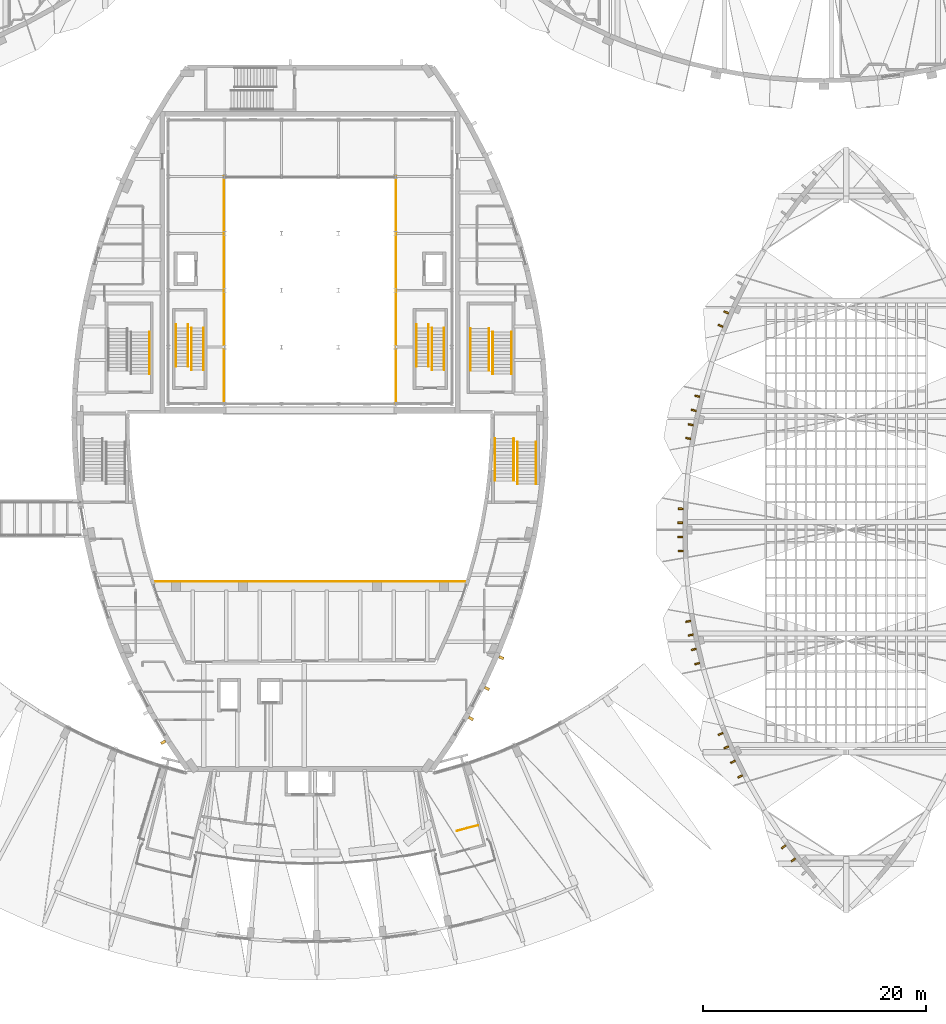
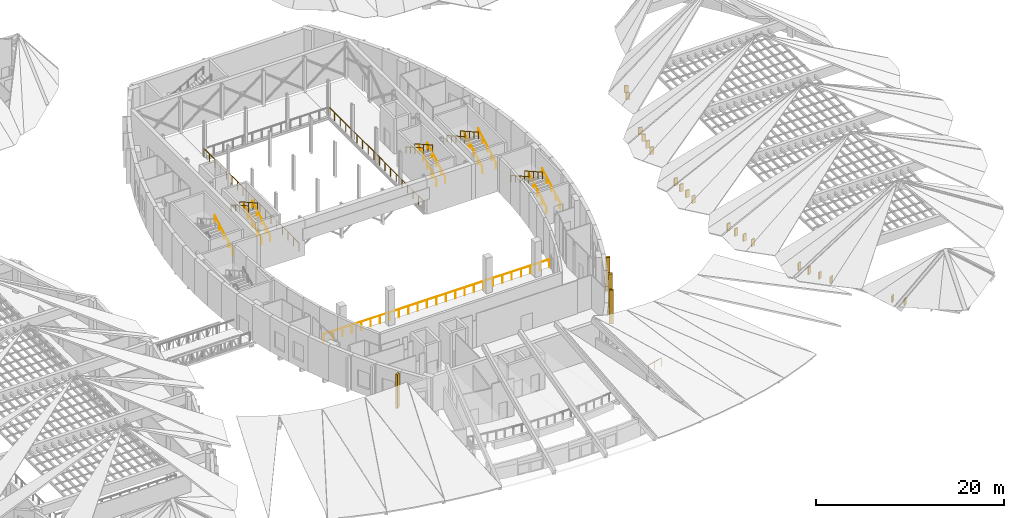
# One storey, part 53 of 56: 24 shading devices, 21 railings.
"""IFC4 building model written with IfcOpenShell, lengths in metres."""

import ifcopenshell
import ifcopenshell.guid

model = None  # the IFC model being written
_history = None  # IfcOwnerHistory: only IFC2X3 demands one
_inside = {}  # id of a spatial element -> (the spatial element, [elements in it])
_under = {}  # id of a project, library or spatial element -> (it, [spatial elements below it])
_declared = {}  # id of a project -> (the project, [libraries it declares])
_typed = {}  # id of a type object -> (the type object, [elements of that type])
_made_of = {}  # id of a material, layer set ... -> (it, [elements and type objects made of it])


def new_model(schema):
    """Start an empty IFC model of exactly this schema.

    Asked for "IFC4X3", IfcOpenShell would pick the latest addendum, in which some entities
    have other attributes; the version numbers below select the first issue.
    IFC2X3 requires an IfcOwnerHistory on every rooted entity: one is made here for all.
    """
    global model, _history
    if schema == "IFC4X3":
        model = ifcopenshell.file(schema_version=(4, 3, 0, 0))
    else:
        model = ifcopenshell.file(schema=schema)
    _inside.clear()
    _under.clear()
    _declared.clear()
    _typed.clear()
    _made_of.clear()
    _history = None
    if model.schema == "IFC2X3":
        org = make("IfcOrganization", Name="unknown")
        user = make(
            "IfcPersonAndOrganization",
            ThePerson=make("IfcPerson", FamilyName="unknown"),
            TheOrganization=org,
        )
        app = make(
            "IfcApplication",
            ApplicationDeveloper=org,
            Version="unknown",
            ApplicationFullName="unknown",
            ApplicationIdentifier="unknown",
        )
        _history = make(
            "IfcOwnerHistory",
            OwningUser=user,
            OwningApplication=app,
            ChangeAction="ADDED",
            CreationDate=0,
        )
    return model


def make(cls, **values):
    """One entity of the class cls with the attributes given. An attribute that is None is left unset."""
    return model.create_entity(
        cls, **{name: value for name, value in values.items() if value is not None}
    )


def rooted(cls, **values):
    """An entity with a GlobalId (a new one), such as an element, a storey or a relation."""
    return make(cls, GlobalId=ifcopenshell.guid.new(), OwnerHistory=_history, **values)


def si_unit(unit_type, name, prefix=None):
    """IfcSIUnit, for example si_unit("LENGTHUNIT", "METRE", prefix="MILLI")."""
    return make("IfcSIUnit", UnitType=unit_type, Prefix=prefix, Name=name)


def assignment(units):
    """IfcUnitAssignment: the units of a project."""
    return None if units is None else make("IfcUnitAssignment", Units=units)


def point(xyz):
    """IfcCartesianPoint."""
    return None if xyz is None else make("IfcCartesianPoint", Coordinates=xyz)


def direction(xyz):
    """IfcDirection."""
    return None if xyz is None else make("IfcDirection", DirectionRatios=xyz)


def frame(location, z_axis=None, x_axis=None):
    """IfcAxis2Placement3D, a coordinate frame: its origin and axes. An axis left out is left unset."""
    return make(
        "IfcAxis2Placement3D",
        Location=point(location),
        Axis=direction(z_axis),
        RefDirection=direction(x_axis),
    )


def frame_2d(location, x_axis=None):
    """IfcAxis2Placement2D, a coordinate frame in the plane: its origin and x axis."""
    return make(
        "IfcAxis2Placement2D", Location=point(location), RefDirection=direction(x_axis)
    )


def origin():
    """The frame at (0, 0, 0) with its axes left unset."""
    return frame((0.0, 0.0, 0.0))


def origin_2d():
    """The frame at (0, 0) in the plane with its x axis left unset."""
    return frame_2d((0.0, 0.0))


def place(relative_to, where):
    """IfcLocalPlacement: puts the frame where relative to a parent placement (None: the world)."""
    return make(
        "IfcLocalPlacement", PlacementRelTo=relative_to, RelativePlacement=where
    )


def context(
    kind, dimensions, precision=None, world=None, true_north=None, identifier=None
):
    """IfcGeometricRepresentationContext, for example the 3D "Model" context."""
    return make(
        "IfcGeometricRepresentationContext",
        ContextIdentifier=identifier,
        ContextType=kind,
        CoordinateSpaceDimension=dimensions,
        Precision=precision,
        WorldCoordinateSystem=world,
        TrueNorth=true_north,
    )


def subcontext(parent, identifier, kind, view, scale=None):
    """IfcGeometricRepresentationSubContext, for example "Body" below "Model"."""
    return make(
        "IfcGeometricRepresentationSubContext",
        ContextIdentifier=identifier,
        ContextType=kind,
        ParentContext=parent,
        TargetScale=scale,
        TargetView=view,
    )


def project(units=None, contexts=None):
    """IfcProject with its units and contexts."""
    return rooted(
        "IfcProject",
        Name="project",
        RepresentationContexts=contexts,
        UnitsInContext=assignment(units),
    )


def spatial(cls, under=None, at=None, **own):
    """A site, building, storey or space (cls), placed at a placement, below another one or the project."""
    s = rooted(cls, ObjectPlacement=at, **own)
    if under is not None:
        _under.setdefault(under.id(), (under, []))[1].append(s)
    return s


def profile(cls, at=None, kind="AREA", **sizes):
    """A parametric profile (cls). Its sizes go by their IFC names, for example OverallWidth=200.0."""
    return make(cls, ProfileType=kind, Position=at, **sizes)


def rectangle(**sizes):
    """IfcRectangleProfileDef."""
    return profile("IfcRectangleProfileDef", **sizes)


def circle(**sizes):
    """IfcCircleProfileDef."""
    return profile("IfcCircleProfileDef", **sizes)


def extrude(swept, where, along, depth):
    """IfcExtrudedAreaSolid: the profile swept, set in the frame where, extruded along a direction by depth."""
    return make(
        "IfcExtrudedAreaSolid",
        SweptArea=swept,
        Position=where,
        ExtrudedDirection=direction(along),
        Depth=depth,
    )


def shape(context_of_items, identifier, shape_type, items):
    """IfcShapeRepresentation: the items that make up one representation, for example the "Body"."""
    return make(
        "IfcShapeRepresentation",
        ContextOfItems=context_of_items,
        RepresentationIdentifier=identifier,
        RepresentationType=shape_type,
        Items=items,
    )


def material(Name=None, Category=None):
    """IfcMaterial."""
    return make("IfcMaterial", Name=Name, Category=Category)


def layer(
    of_material, thickness, ventilated=None, Name=None, Category=None, Priority=None
):
    """IfcMaterialLayer: one layer of a wall or slab, of a material (None: an air gap)."""
    return make(
        "IfcMaterialLayer",
        Material=of_material,
        LayerThickness=thickness,
        IsVentilated=ventilated,
        Name=Name,
        Category=Category,
        Priority=Priority,
    )


def layer_set(layers, Name=None):
    """IfcMaterialLayerSet."""
    return make("IfcMaterialLayerSet", MaterialLayers=layers, LayerSetName=Name)


def made_of(thing, what):
    """Note that an element or type object is made of a material, layer set ...; save() writes the relation."""
    if what is not None:
        _made_of.setdefault(what.id(), (what, []))[1].append(thing)
    return thing


def type_object(cls, material=None, **own):
    """A type object (cls), such as IfcWallType, which elements share."""
    return made_of(rooted(cls, **own), material)


def element(
    cls,
    number,
    at=None,
    inside=None,
    cuts=None,
    type_object=None,
    material=None,
    context=None,
    identifier="Body",
    shape_type=None,
    held_by="IfcProductDefinitionShape",
    body=None,
    shapes=None,
    **own,
):
    """One element of the class cls, such as IfcWall. Its Tag is "e" and its number.

    at: its placement. inside: the storey or other place that contains it. cuts: it is an
    opening in that element (IfcRelVoidsElement). A single representation is given by context,
    identifier, shape_type and body (its items); several are given by shapes. held_by: the class
    of the entity that holds the representations. save() writes the other relations.
    """
    e = rooted(cls, Tag="e%d" % number, ObjectPlacement=at, **own)
    if body is not None:
        shapes = [shape(context, identifier, shape_type, body)]
    if shapes is not None:
        e.Representation = make(held_by, Representations=shapes)
    if inside is not None:
        _inside.setdefault(inside.id(), (inside, []))[1].append(e)
    if cuts is not None:
        rooted(
            "IfcRelVoidsElement", RelatingBuildingElement=cuts, RelatedOpeningElement=e
        )
    if type_object is not None:
        _typed.setdefault(type_object.id(), (type_object, []))[1].append(e)
    return made_of(e, material)


def aggregate(whole, parts):
    """IfcRelAggregates: a whole, such as a stair, and the parts it consists of."""
    return rooted("IfcRelAggregates", RelatingObject=whole, RelatedObjects=parts)


def save(model, path):
    """Write the relations noted so far, then the file.

    IfcRelAggregates (storeys below a building ...), IfcRelContainedInSpatialStructure (elements
    in a storey), IfcRelDefinesByType, IfcRelAssociatesMaterial and IfcRelDeclares: one each for
    every whole, place, type object, material and project.
    """
    for whole, parts in _under.values():
        aggregate(whole, parts)
    for where, things in _inside.values():
        rooted(
            "IfcRelContainedInSpatialStructure",
            RelatedElements=things,
            RelatingStructure=where,
        )
    for kind, things in _typed.values():
        rooted("IfcRelDefinesByType", RelatedObjects=things, RelatingType=kind)
    for what, things in _made_of.values():
        rooted("IfcRelAssociatesMaterial", RelatedObjects=things, RelatingMaterial=what)
    for by, libraries in _declared.values():
        rooted("IfcRelDeclares", RelatingContext=by, RelatedDefinitions=libraries)
    model.write(path)


model = new_model("IFC4")

# Units and contexts
model_context = context("Model", 3, precision=1e-05, world=origin(), true_north=direction((0.0, 1.0)))
body_context = subcontext(model_context, "Body", "Model", "MODEL_VIEW")
ifc_project = project(units=[si_unit("LENGTHUNIT", "METRE"), si_unit("AREAUNIT", "SQUARE_METRE"), si_unit("VOLUMEUNIT", "CUBIC_METRE"), si_unit("PLANEANGLEUNIT", "RADIAN"), si_unit("MASSUNIT", "GRAM", prefix="KILO")], contexts=[model_context])

# Site, building, storey
site_placement = place(None, origin())
site = spatial("IfcSite", under=ifc_project, at=site_placement, CompositionType="ELEMENT")
building_placement = place(site_placement, origin())
building = spatial("IfcBuilding", under=site, at=building_placement, Name="Tide Square Theatres", CompositionType="ELEMENT")
storey_placement = place(building_placement, frame((0.0, 0.0, 10.199951171875)))
storey = spatial("IfcBuildingStorey", under=building, at=storey_placement, Name="L02", CompositionType="ELEMENT", Elevation=10.199951171875)

# Shading devices
ifc_material_1 = material(Name="Concrete C40", Category="concrete")
ifc_layer = layer(ifc_material_1, 0.14990234375)
ifc_layer_set = layer_set([ifc_layer], Name="Concrete C40")
shading_device_type = type_object("IfcShadingDeviceType", Name="Concrete fin 450", PredefinedType="USERDEFINED", material=ifc_layer_set)
for number, where, z_axis, x_axis, name in (
    (1, (98.4150390625, 28.1103515625, 0.0), (0.0, 0.0, 1.0), (0.515681226646, 0.856780527606, 0.0), "Concrete fin"),
    (2, (99.8505859375, 30.796630859375, 0.0), (0.0, 0.0, 1.0), (0.466757131825, 0.884385538038, 0.0), "Concrete fin"),
    (3, (101.13330078125, 33.55908203125, 0.0), (0.0, 0.0, 1.0), (0.416344267901, 0.90920704495, 0.0), "Concrete fin"),
    (4, (70.86328125, 25.986328125, 0.0), (0.0, 0.0, 1.0), (0.515681226646, -0.856780527606, 0.0), "Concrete fin"),
):
    element("IfcShadingDevice", number, at=place(storey_placement, frame(where, z_axis=z_axis, x_axis=x_axis)), inside=storey, type_object=shading_device_type, Name=name, ObjectType="BRISE-SOLEIL FIN", PredefinedType="USERDEFINED", context=body_context, shape_type="SweptSolid", body=[
        extrude(rectangle(XDim=0.25, YDim=0.449951171875, at=origin_2d()), origin(), (0.0, 0.0, 1.0), 4.39990234375),
    ])
for number, where, z_axis, x_axis, name in (
    (5, (121.2705078125, 64.4755859375, 0.0), (0.0, 0.0, 1.0), (-0.391518211689, -0.920170359181, 0.0), "Concrete fin"),
    (6, (120.75830078125, 63.272216796875, 0.0), (0.0, 0.0, 1.0), (-0.391518211689, -0.920170359181, 0.0), "Concrete fin"),
):
    element("IfcShadingDevice", number, at=place(storey_placement, frame(where, z_axis=z_axis, x_axis=x_axis)), inside=storey, type_object=shading_device_type, Name=name, ObjectType="BRISE-SOLEIL FIN", PredefinedType="USERDEFINED", context=body_context, shape_type="SweptSolid", body=[
        extrude(rectangle(XDim=0.14990234375, YDim=0.449951171875, at=origin_2d()), origin(), (0.0, 0.0, 1.0), 0.91650390625),
    ])
for number, where, z_axis, x_axis, name in (
    (7, (118.67138671875, 56.970947265625, 0.0), (0.0, 0.0, 1.0), (-0.235142113103, -0.971961000579, 0.0), "Concrete fin"),
    (8, (118.36376953125, 55.69921875, 0.0), (0.0, 0.0, 1.0), (-0.235142113103, -0.971961000579, 0.0), "Concrete fin"),
):
    element("IfcShadingDevice", number, at=place(storey_placement, frame(where, z_axis=z_axis, x_axis=x_axis)), inside=storey, type_object=shading_device_type, Name=name, ObjectType="BRISE-SOLEIL FIN", PredefinedType="USERDEFINED", context=body_context, shape_type="SweptSolid", body=[
        extrude(rectangle(XDim=0.14990234375, YDim=0.449951171875, at=origin_2d()), origin(), (0.0, 0.0, 1.0), 0.923095703125),
    ])
for number, where, z_axis, x_axis, name in (
    (9, (118.0888671875, 54.416748046875, 0.0), (0.0, 0.0, 1.0), (-0.182630214616, -0.983181674315, 0.0), "Concrete fin"),
    (10, (117.86083984375, 53.189208984375, 0.0), (0.0, 0.0, 1.0), (-0.182630214616, -0.983181674315, 0.0), "Concrete fin"),
):
    element("IfcShadingDevice", number, at=place(storey_placement, frame(where, z_axis=z_axis, x_axis=x_axis)), inside=storey, type_object=shading_device_type, Name=name, ObjectType="BRISE-SOLEIL FIN", PredefinedType="USERDEFINED", context=body_context, shape_type="SweptSolid", body=[
        extrude(rectangle(XDim=0.14990234375, YDim=0.449951171875, at=origin_2d()), origin(), (0.0, 0.0, 1.0), 0.970458984375),
    ])
for number, where, z_axis, x_axis, name in (
    (11, (117.197509765625, 46.888671875, 0.0), (0.0, 0.0, 1.0), (-0.026229290207, -0.999655952983, 0.0), "Concrete fin"),
    (12, (117.16455078125, 45.640380859375, 0.0), (0.0, 0.0, 1.0), (-0.026229290207, -0.999655952983, 0.0), "Concrete fin"),
    (13, (117.16455078125, 44.359619140625, 0.0), (0.0, 0.0, 1.0), (0.026229290207, -0.999655952983, 0.0), "Concrete fin"),
    (14, (117.197509765625, 43.111328125, 0.0), (0.0, 0.0, 1.0), (0.026229290207, -0.999655952983, 0.0), "Concrete fin"),
):
    element("IfcShadingDevice", number, at=place(storey_placement, frame(where, z_axis=z_axis, x_axis=x_axis)), inside=storey, type_object=shading_device_type, Name=name, ObjectType="BRISE-SOLEIL FIN", PredefinedType="USERDEFINED", context=body_context, shape_type="SweptSolid", body=[
        extrude(rectangle(XDim=0.14990234375, YDim=0.449951171875, at=origin_2d()), origin(), (0.0, 0.0, 1.0), 0.968505859375),
    ])
for number, where, z_axis, x_axis, name in (
    (15, (117.86083984375, 36.810791015625, 0.0), (0.0, 0.0, 1.0), (0.182630214616, -0.983181674315, 0.0), "Concrete fin"),
    (16, (118.0888671875, 35.583251953125, 0.0), (0.0, 0.0, 1.0), (0.182630214616, -0.983181674315, 0.0), "Concrete fin"),
):
    element("IfcShadingDevice", number, at=place(storey_placement, frame(where, z_axis=z_axis, x_axis=x_axis)), inside=storey, type_object=shading_device_type, Name=name, ObjectType="BRISE-SOLEIL FIN", PredefinedType="USERDEFINED", context=body_context, shape_type="SweptSolid", body=[
        extrude(rectangle(XDim=0.14990234375, YDim=0.449951171875, at=origin_2d()), origin(), (0.0, 0.0, 1.0), 0.983154296875),
    ])
for number, where, z_axis, x_axis, name in (
    (17, (118.36376953125, 34.30078125, 0.0), (0.0, 0.0, 1.0), (0.235142113103, -0.971961000579, 0.0), "Concrete fin"),
    (18, (118.67138671875, 33.029052734375, 0.0), (0.0, 0.0, 1.0), (0.235142113103, -0.971961000579, 0.0), "Concrete fin"),
):
    element("IfcShadingDevice", number, at=place(storey_placement, frame(where, z_axis=z_axis, x_axis=x_axis)), inside=storey, type_object=shading_device_type, Name=name, ObjectType="BRISE-SOLEIL FIN", PredefinedType="USERDEFINED", context=body_context, shape_type="SweptSolid", body=[
        extrude(rectangle(XDim=0.14990234375, YDim=0.449951171875, at=origin_2d()), origin(), (0.0, 0.0, 1.0), 0.937255859375),
    ])
for number, where, z_axis, x_axis, name in (
    (19, (120.75830078125, 26.727783203125, 0.0), (0.0, 0.0, 1.0), (0.391518211689, -0.920170359181, 0.0), "Concrete fin"),
    (20, (121.2705078125, 25.5244140625, 0.0), (0.0, 0.0, 1.0), (0.391518211689, -0.920170359181, 0.0), "Concrete fin"),
):
    element("IfcShadingDevice", number, at=place(storey_placement, frame(where, z_axis=z_axis, x_axis=x_axis)), inside=storey, type_object=shading_device_type, Name=name, ObjectType="BRISE-SOLEIL FIN", PredefinedType="USERDEFINED", context=body_context, shape_type="SweptSolid", body=[
        extrude(rectangle(XDim=0.14990234375, YDim=0.449951171875, at=origin_2d()), origin(), (0.0, 0.0, 1.0), 0.955078125),
    ])
for number, where, z_axis, x_axis, name in (
    (21, (121.865966796875, 24.235595703125, 0.0), (0.0, 0.0, 1.0), (0.444338125475, -0.895859157596, 0.0), "Concrete fin"),
    (22, (122.5146484375, 22.927734375, 0.0), (0.0, 0.0, 1.0), (0.444338125475, -0.895859157596, 0.0), "Concrete fin"),
):
    element("IfcShadingDevice", number, at=place(storey_placement, frame(where, z_axis=z_axis, x_axis=x_axis)), inside=storey, type_object=shading_device_type, Name=name, ObjectType="BRISE-SOLEIL FIN", PredefinedType="USERDEFINED", context=body_context, shape_type="SweptSolid", body=[
        extrude(rectangle(XDim=0.14990234375, YDim=0.449951171875, at=origin_2d()), origin(), (0.0, 0.0, 1.0), 0.853271484375),
    ])
for number, where, z_axis, x_axis, name in (
    (23, (126.400390625, 16.625, 0.0), (0.0, 0.0, 1.0), (0.600769096416, -0.799422599625, 0.0), "Concrete fin"),
    (24, (127.277099609375, 15.458251953125, 0.0), (0.0, 0.0, 1.0), (0.600769096416, -0.799422599625, 0.0), "Concrete fin"),
):
    element("IfcShadingDevice", number, at=place(storey_placement, frame(where, z_axis=z_axis, x_axis=x_axis)), inside=storey, type_object=shading_device_type, Name=name, ObjectType="BRISE-SOLEIL FIN", PredefinedType="USERDEFINED", context=body_context, shape_type="SweptSolid", body=[
        extrude(rectangle(XDim=0.14990234375, YDim=0.449951171875, at=origin_2d()), origin(), (0.0, 0.0, 1.0), 0.849853515625),
    ])

# Railings
ifc_material_2 = material(Name="Painted steel", Category="steel")
railing_type_1 = type_object("IfcRailingType", Name="Steel guard 1100", PredefinedType="GUARDRAIL", material=ifc_material_2)
railing_1_placement = place(storey_placement, frame((70.11181640625, 40.3798828125, 0.0)))
element("IfcRailing", 25, at=railing_1_placement, inside=storey, type_object=railing_type_1, Name="Upper circle front guard", PredefinedType="GUARDRAIL", context=body_context, shape_type="SweptSolid", body=[
    extrude(circle(Radius=0.02490234375, at=origin_2d()), frame((0.0, 0.0, 1.0751953125), z_axis=(1.0, 0.0, 0.0), x_axis=(0.0, 1.0, 0.0)), (0.0, 0.0, 1.0), 27.7763671875),
    extrude(circle(Radius=0.02001953125, at=origin_2d()), origin(), (0.0, 0.0, 1.0), 1.050048828125),
    extrude(circle(Radius=0.02001953125, at=origin_2d()), frame((1.1572265625, 0.0, 0.0)), (0.0, 0.0, 1.0), 1.050048828125),
    extrude(circle(Radius=0.02001953125, at=origin_2d()), frame((2.314697265625, 0.0, 0.0)), (0.0, 0.0, 1.0), 1.050048828125),
    extrude(circle(Radius=0.02001953125, at=origin_2d()), frame((3.47216796875, 0.0, 0.0)), (0.0, 0.0, 1.0), 1.050048828125),
    extrude(circle(Radius=0.02001953125, at=origin_2d()), frame((4.62939453125, 0.0, 0.0)), (0.0, 0.0, 1.0), 1.050048828125),
    extrude(circle(Radius=0.02001953125, at=origin_2d()), frame((5.78662109375, 0.0, 0.0)), (0.0, 0.0, 1.0), 1.050048828125),
    extrude(circle(Radius=0.02001953125, at=origin_2d()), frame((6.944091796875, 0.0, 0.0)), (0.0, 0.0, 1.0), 1.050048828125),
    extrude(circle(Radius=0.02001953125, at=origin_2d()), frame((8.1015625, 0.0, 0.0)), (0.0, 0.0, 1.0), 1.050048828125),
    extrude(circle(Radius=0.02001953125, at=origin_2d()), frame((9.2587890625, 0.0, 0.0)), (0.0, 0.0, 1.0), 1.050048828125),
    extrude(circle(Radius=0.02001953125, at=origin_2d()), frame((10.416015625, 0.0, 0.0)), (0.0, 0.0, 1.0), 1.050048828125),
    extrude(circle(Radius=0.02001953125, at=origin_2d()), frame((11.573486328125, 0.0, 0.0)), (0.0, 0.0, 1.0), 1.050048828125),
    extrude(circle(Radius=0.02001953125, at=origin_2d()), frame((12.73095703125, 0.0, 0.0)), (0.0, 0.0, 1.0), 1.050048828125),
    extrude(circle(Radius=0.02001953125, at=origin_2d()), frame((13.88818359375, 0.0, 0.0)), (0.0, 0.0, 1.0), 1.050048828125),
    extrude(circle(Radius=0.02001953125, at=origin_2d()), frame((15.04541015625, 0.0, 0.0)), (0.0, 0.0, 1.0), 1.050048828125),
    extrude(circle(Radius=0.02001953125, at=origin_2d()), frame((16.202880859375, 0.0, 0.0)), (0.0, 0.0, 1.0), 1.050048828125),
    extrude(circle(Radius=0.02001953125, at=origin_2d()), frame((17.3603515625, 0.0, 0.0)), (0.0, 0.0, 1.0), 1.050048828125),
    extrude(circle(Radius=0.02001953125, at=origin_2d()), frame((18.517578125, 0.0, 0.0)), (0.0, 0.0, 1.0), 1.050048828125),
    extrude(circle(Radius=0.02001953125, at=origin_2d()), frame((19.6748046875, 0.0, 0.0)), (0.0, 0.0, 1.0), 1.050048828125),
    extrude(circle(Radius=0.02001953125, at=origin_2d()), frame((20.832275390625, 0.0, 0.0)), (0.0, 0.0, 1.0), 1.050048828125),
    extrude(circle(Radius=0.02001953125, at=origin_2d()), frame((21.98974609375, 0.0, 0.0)), (0.0, 0.0, 1.0), 1.050048828125),
    extrude(circle(Radius=0.02001953125, at=origin_2d()), frame((23.14697265625, 0.0, 0.0)), (0.0, 0.0, 1.0), 1.050048828125),
    extrude(circle(Radius=0.02001953125, at=origin_2d()), frame((24.30419921875, 0.0, 0.0)), (0.0, 0.0, 1.0), 1.050048828125),
    extrude(circle(Radius=0.02001953125, at=origin_2d()), frame((25.461669921875, 0.0, 0.0)), (0.0, 0.0, 1.0), 1.050048828125),
    extrude(circle(Radius=0.02001953125, at=origin_2d()), frame((26.619140625, 0.0, 0.0)), (0.0, 0.0, 1.0), 1.050048828125),
    extrude(circle(Radius=0.02001953125, at=origin_2d()), frame((27.7763671875, 0.0, 0.0)), (0.0, 0.0, 1.0), 1.050048828125),
])
railing_2_placement = place(storey_placement, frame((76.3056640625, 56.3359375, 0.0)))
element("IfcRailing", 26, at=railing_2_placement, inside=storey, type_object=railing_type_1, Name="Fly gallery 02 west guard", PredefinedType="GUARDRAIL", context=body_context, shape_type="SweptSolid", body=[
    extrude(circle(Radius=0.02490234375, at=origin_2d()), frame((0.0, 0.0, 1.0751953125), z_axis=(0.0, 1.0, 0.0), x_axis=(-1.0, 0.0, 0.0)), (0.0, 0.0, 1.0), 20.298583984375),
    extrude(circle(Radius=0.02001953125, at=origin_2d()), origin(), (0.0, 0.0, 1.0), 1.050048828125),
    extrude(circle(Radius=0.02001953125, at=origin_2d()), frame((0.0, 1.194091796875, 0.0)), (0.0, 0.0, 1.0), 1.050048828125),
    extrude(circle(Radius=0.02001953125, at=origin_2d()), frame((0.0, 2.38818359375, 0.0)), (0.0, 0.0, 1.0), 1.050048828125),
    extrude(circle(Radius=0.02001953125, at=origin_2d()), frame((0.0, 3.58203125, 0.0)), (0.0, 0.0, 1.0), 1.050048828125),
    extrude(circle(Radius=0.02001953125, at=origin_2d()), frame((0.0, 4.776123046875, 0.0)), (0.0, 0.0, 1.0), 1.050048828125),
    extrude(circle(Radius=0.02001953125, at=origin_2d()), frame((0.0, 5.97021484375, 0.0)), (0.0, 0.0, 1.0), 1.050048828125),
    extrude(circle(Radius=0.02001953125, at=origin_2d()), frame((0.0, 7.164306640625, 0.0)), (0.0, 0.0, 1.0), 1.050048828125),
    extrude(circle(Radius=0.02001953125, at=origin_2d()), frame((0.0, 8.358154296875, 0.0)), (0.0, 0.0, 1.0), 1.050048828125),
    extrude(circle(Radius=0.02001953125, at=origin_2d()), frame((0.0, 9.55224609375, 0.0)), (0.0, 0.0, 1.0), 1.050048828125),
    extrude(circle(Radius=0.02001953125, at=origin_2d()), frame((0.0, 10.746337890625, 0.0)), (0.0, 0.0, 1.0), 1.050048828125),
    extrude(circle(Radius=0.02001953125, at=origin_2d()), frame((0.0, 11.9404296875, 0.0)), (0.0, 0.0, 1.0), 1.050048828125),
    extrude(circle(Radius=0.02001953125, at=origin_2d()), frame((0.0, 13.13427734375, 0.0)), (0.0, 0.0, 1.0), 1.050048828125),
    extrude(circle(Radius=0.02001953125, at=origin_2d()), frame((0.0, 14.328369140625, 0.0)), (0.0, 0.0, 1.0), 1.050048828125),
    extrude(circle(Radius=0.02001953125, at=origin_2d()), frame((0.0, 15.5224609375, 0.0)), (0.0, 0.0, 1.0), 1.050048828125),
    extrude(circle(Radius=0.02001953125, at=origin_2d()), frame((0.0, 16.716552734375, 0.0)), (0.0, 0.0, 1.0), 1.050048828125),
    extrude(circle(Radius=0.02001953125, at=origin_2d()), frame((0.0, 17.910400390625, 0.0)), (0.0, 0.0, 1.0), 1.050048828125),
    extrude(circle(Radius=0.02001953125, at=origin_2d()), frame((0.0, 19.1044921875, 0.0)), (0.0, 0.0, 1.0), 1.050048828125),
    extrude(circle(Radius=0.02001953125, at=origin_2d()), frame((0.0, 20.298583984375, 0.0)), (0.0, 0.0, 1.0), 1.050048828125),
])
railing_3_placement = place(storey_placement, frame((91.6943359375, 56.3359375, 0.0)))
element("IfcRailing", 27, at=railing_3_placement, inside=storey, type_object=railing_type_1, Name="Fly gallery 02 east guard", PredefinedType="GUARDRAIL", context=body_context, shape_type="SweptSolid", body=[
    extrude(circle(Radius=0.02490234375, at=origin_2d()), frame((0.0, 0.0, 1.0751953125), z_axis=(0.0, 1.0, 0.0), x_axis=(-1.0, 0.0, 0.0)), (0.0, 0.0, 1.0), 20.298583984375),
    extrude(circle(Radius=0.02001953125, at=origin_2d()), origin(), (0.0, 0.0, 1.0), 1.050048828125),
    extrude(circle(Radius=0.02001953125, at=origin_2d()), frame((0.0, 1.194091796875, 0.0)), (0.0, 0.0, 1.0), 1.050048828125),
    extrude(circle(Radius=0.02001953125, at=origin_2d()), frame((0.0, 2.38818359375, 0.0)), (0.0, 0.0, 1.0), 1.050048828125),
    extrude(circle(Radius=0.02001953125, at=origin_2d()), frame((0.0, 3.58203125, 0.0)), (0.0, 0.0, 1.0), 1.050048828125),
    extrude(circle(Radius=0.02001953125, at=origin_2d()), frame((0.0, 4.776123046875, 0.0)), (0.0, 0.0, 1.0), 1.050048828125),
    extrude(circle(Radius=0.02001953125, at=origin_2d()), frame((0.0, 5.97021484375, 0.0)), (0.0, 0.0, 1.0), 1.050048828125),
    extrude(circle(Radius=0.02001953125, at=origin_2d()), frame((0.0, 7.164306640625, 0.0)), (0.0, 0.0, 1.0), 1.050048828125),
    extrude(circle(Radius=0.02001953125, at=origin_2d()), frame((0.0, 8.358154296875, 0.0)), (0.0, 0.0, 1.0), 1.050048828125),
    extrude(circle(Radius=0.02001953125, at=origin_2d()), frame((0.0, 9.55224609375, 0.0)), (0.0, 0.0, 1.0), 1.050048828125),
    extrude(circle(Radius=0.02001953125, at=origin_2d()), frame((0.0, 10.746337890625, 0.0)), (0.0, 0.0, 1.0), 1.050048828125),
    extrude(circle(Radius=0.02001953125, at=origin_2d()), frame((0.0, 11.9404296875, 0.0)), (0.0, 0.0, 1.0), 1.050048828125),
    extrude(circle(Radius=0.02001953125, at=origin_2d()), frame((0.0, 13.13427734375, 0.0)), (0.0, 0.0, 1.0), 1.050048828125),
    extrude(circle(Radius=0.02001953125, at=origin_2d()), frame((0.0, 14.328369140625, 0.0)), (0.0, 0.0, 1.0), 1.050048828125),
    extrude(circle(Radius=0.02001953125, at=origin_2d()), frame((0.0, 15.5224609375, 0.0)), (0.0, 0.0, 1.0), 1.050048828125),
    extrude(circle(Radius=0.02001953125, at=origin_2d()), frame((0.0, 16.716552734375, 0.0)), (0.0, 0.0, 1.0), 1.050048828125),
    extrude(circle(Radius=0.02001953125, at=origin_2d()), frame((0.0, 17.910400390625, 0.0)), (0.0, 0.0, 1.0), 1.050048828125),
    extrude(circle(Radius=0.02001953125, at=origin_2d()), frame((0.0, 19.1044921875, 0.0)), (0.0, 0.0, 1.0), 1.050048828125),
    extrude(circle(Radius=0.02001953125, at=origin_2d()), frame((0.0, 20.298583984375, 0.0)), (0.0, 0.0, 1.0), 1.050048828125),
])
railing_4_placement = place(storey_placement, frame((99.05078125, 18.555908203125, 0.0)))
element("IfcRailing", 28, at=railing_4_placement, inside=storey, type_object=railing_type_1, Name="L02 F4 top well guard 1", PredefinedType="GUARDRAIL", context=body_context, shape_type="SweptSolid", body=[
    extrude(circle(Radius=0.02392578125, at=origin_2d()), frame((0.0, 0.0, 1.076171875), z_axis=(-0.966597648809, -0.256298625274, 0.0), x_axis=(0.256298625274, -0.966597648809, 0.0)), (0.0, 0.0, 1.0), 1.949951171875),
    extrude(circle(Radius=0.02099609375, at=origin_2d()), origin(), (0.0, 0.0, 1.0), 1.052001953125),
    extrude(circle(Radius=0.02099609375, at=origin_2d()), frame((-0.9423828125, -0.25, 0.0)), (0.0, 0.0, 1.0), 1.052001953125),
    extrude(circle(Radius=0.02099609375, at=origin_2d()), frame((-1.884765625, -0.499755859375, 0.0)), (0.0, 0.0, 1.0), 1.052001953125),
])
ifc_material_3 = material(Name="Painted steel", Category="steel")
railing_type_2 = type_object("IfcRailingType", Name="Steel handrail 850", PredefinedType="HANDRAIL", material=ifc_material_3)
for number, where, name in (
    (29, (69.639892578125, 58.949951171875, 0.164306640625), "Stair handrail 1"),
    (30, (102.0400390625, 58.949951171875, 0.164306640625), "Stair handrail 2"),
    (31, (100.360107421875, 58.949951171875, 0.164306640625), "Stair handrail 2"),
):
    element("IfcRailing", number, at=place(storey_placement, frame(where)), inside=storey, type_object=railing_type_2, Name=name, PredefinedType="HANDRAIL", context=body_context, shape_type="SweptSolid", body=[
        extrude(circle(Radius=0.02490234375, at=origin_2d()), frame((0.0, 0.0, 0.8251953125), z_axis=(0.0, 0.870081794457, 0.492907365491), x_axis=(-1.0, 0.0, 0.0)), (0.0, 0.0, 1.0), 4.3330078125),
        extrude(circle(Radius=0.02001953125, at=origin_2d()), origin(), (0.0, 0.0, 1.0), 0.800048828125),
        extrude(circle(Radius=0.02001953125, at=origin_2d()), frame((0.0, 0.9423828125, 0.533935546875)), (0.0, 0.0, 1.0), 0.800048828125),
        extrude(circle(Radius=0.02001953125, at=origin_2d()), frame((0.0, 1.885009765625, 1.06787109375)), (0.0, 0.0, 1.0), 0.800048828125),
        extrude(circle(Radius=0.02001953125, at=origin_2d()), frame((0.0, 2.82763671875, 1.601806640625)), (0.0, 0.0, 1.0), 0.800048828125),
        extrude(circle(Radius=0.02001953125, at=origin_2d()), frame((0.0, 3.77001953125, 2.1357421875)), (0.0, 0.0, 1.0), 0.800048828125),
    ])
for number, where, name in (
    (32, (100.0400390625, 63.0244140625, 2.46435546875), "Stair handrail 2"),
    (33, (98.360107421875, 63.0244140625, 2.46435546875), "Stair handrail 2"),
):
    element("IfcRailing", number, at=place(storey_placement, frame(where)), inside=storey, type_object=railing_type_2, Name=name, PredefinedType="HANDRAIL", context=body_context, shape_type="SweptSolid", body=[
        extrude(circle(Radius=0.02490234375, at=origin_2d()), frame((0.0, 0.0, 0.8251953125), z_axis=(0.0, -0.870081794457, 0.492907365491), x_axis=(1.0, 0.0, 0.0)), (0.0, 0.0, 1.0), 4.3330078125),
        extrude(circle(Radius=0.02001953125, at=origin_2d()), origin(), (0.0, 0.0, 1.0), 0.800048828125),
        extrude(circle(Radius=0.02001953125, at=origin_2d()), frame((0.0, -0.9423828125, 0.533935546875)), (0.0, 0.0, 1.0), 0.800048828125),
        extrude(circle(Radius=0.02001953125, at=origin_2d()), frame((0.0, -1.885009765625, 1.06787109375)), (0.0, 0.0, 1.0), 0.800048828125),
        extrude(circle(Radius=0.02001953125, at=origin_2d()), frame((0.0, -2.82763671875, 1.601806640625)), (0.0, 0.0, 1.0), 0.800048828125),
        extrude(circle(Radius=0.02001953125, at=origin_2d()), frame((0.0, -3.77001953125, 2.1357421875)), (0.0, 0.0, 1.0), 0.800048828125),
    ])
for number, where, name in (
    (34, (104.239990234375, 49.10009765625, 0.164306640625), "Stair handrail 4"),
    (35, (102.56005859375, 49.10009765625, 0.164306640625), "Stair handrail 4"),
):
    element("IfcRailing", number, at=place(storey_placement, frame(where)), inside=storey, type_object=railing_type_2, Name=name, PredefinedType="HANDRAIL", context=body_context, shape_type="SweptSolid", body=[
        extrude(circle(Radius=0.02490234375, at=origin_2d()), frame((0.0, 0.0, 0.8251953125), z_axis=(0.0, 0.870081794457, 0.492907365491), x_axis=(-1.0, 0.0, 0.0)), (0.0, 0.0, 1.0), 4.3330078125),
        extrude(circle(Radius=0.02001953125, at=origin_2d()), origin(), (0.0, 0.0, 1.0), 0.800048828125),
        extrude(circle(Radius=0.02001953125, at=origin_2d()), frame((0.0, 0.9423828125, 0.533935546875)), (0.0, 0.0, 1.0), 0.800048828125),
        extrude(circle(Radius=0.02001953125, at=origin_2d()), frame((0.0, 1.885009765625, 1.06787109375)), (0.0, 0.0, 1.0), 0.800048828125),
        extrude(circle(Radius=0.02001953125, at=origin_2d()), frame((0.0, 2.82763671875, 1.601806640625)), (0.0, 0.0, 1.0), 0.800048828125),
        extrude(circle(Radius=0.02001953125, at=origin_2d()), frame((0.0, 3.77001953125, 2.1357421875)), (0.0, 0.0, 1.0), 0.800048828125),
    ])
for number, where, name in (
    (36, (102.239990234375, 53.17431640625, 2.46435546875), "Stair handrail 4"),
    (37, (100.56005859375, 53.17431640625, 2.46435546875), "Stair handrail 4"),
):
    element("IfcRailing", number, at=place(storey_placement, frame(where)), inside=storey, type_object=railing_type_2, Name=name, PredefinedType="HANDRAIL", context=body_context, shape_type="SweptSolid", body=[
        extrude(circle(Radius=0.02490234375, at=origin_2d()), frame((0.0, 0.0, 0.8251953125), z_axis=(0.0, -0.870081794457, 0.492907365491), x_axis=(1.0, 0.0, 0.0)), (0.0, 0.0, 1.0), 4.3330078125),
        extrude(circle(Radius=0.02001953125, at=origin_2d()), origin(), (0.0, 0.0, 1.0), 0.800048828125),
        extrude(circle(Radius=0.02001953125, at=origin_2d()), frame((0.0, -0.9423828125, 0.533935546875)), (0.0, 0.0, 1.0), 0.800048828125),
        extrude(circle(Radius=0.02001953125, at=origin_2d()), frame((0.0, -1.885009765625, 1.06787109375)), (0.0, 0.0, 1.0), 0.800048828125),
        extrude(circle(Radius=0.02001953125, at=origin_2d()), frame((0.0, -2.82763671875, 1.601806640625)), (0.0, 0.0, 1.0), 0.800048828125),
        extrude(circle(Radius=0.02001953125, at=origin_2d()), frame((0.0, -3.77001953125, 2.1357421875)), (0.0, 0.0, 1.0), 0.800048828125),
    ])
for number, where, name in (
    (38, (74.466064453125, 59.325927734375, 0.164306640625), "Stair handrail 11"),
    (39, (73.385986328125, 59.325927734375, 0.164306640625), "Stair handrail 11"),
):
    element("IfcRailing", number, at=place(storey_placement, frame(where)), inside=storey, type_object=railing_type_2, Name=name, PredefinedType="HANDRAIL", context=body_context, shape_type="SweptSolid", body=[
        extrude(circle(Radius=0.02490234375, at=origin_2d()), frame((0.0, 0.0, 0.8251953125), z_axis=(0.0, 0.870081794457, 0.492907365491), x_axis=(-1.0, 0.0, 0.0)), (0.0, 0.0, 1.0), 4.3330078125),
        extrude(circle(Radius=0.02001953125, at=origin_2d()), origin(), (0.0, 0.0, 1.0), 0.800048828125),
        extrude(circle(Radius=0.02001953125, at=origin_2d()), frame((0.0, 0.9423828125, 0.533935546875)), (0.0, 0.0, 1.0), 0.800048828125),
        extrude(circle(Radius=0.02001953125, at=origin_2d()), frame((0.0, 1.885009765625, 1.06787109375)), (0.0, 0.0, 1.0), 0.800048828125),
        extrude(circle(Radius=0.02001953125, at=origin_2d()), frame((0.0, 2.82763671875, 1.601806640625)), (0.0, 0.0, 1.0), 0.800048828125),
        extrude(circle(Radius=0.02001953125, at=origin_2d()), frame((0.0, 3.77001953125, 2.1357421875)), (0.0, 0.0, 1.0), 0.800048828125),
    ])
for number, where, name in (
    (40, (73.06591796875, 63.400390625, 2.46435546875), "Stair handrail 11"),
    (41, (71.986083984375, 63.400390625, 2.46435546875), "Stair handrail 11"),
):
    element("IfcRailing", number, at=place(storey_placement, frame(where)), inside=storey, type_object=railing_type_2, Name=name, PredefinedType="HANDRAIL", context=body_context, shape_type="SweptSolid", body=[
        extrude(circle(Radius=0.02490234375, at=origin_2d()), frame((0.0, 0.0, 0.8251953125), z_axis=(0.0, -0.870081794457, 0.492907365491), x_axis=(1.0, 0.0, 0.0)), (0.0, 0.0, 1.0), 4.3330078125),
        extrude(circle(Radius=0.02001953125, at=origin_2d()), origin(), (0.0, 0.0, 1.0), 0.800048828125),
        extrude(circle(Radius=0.02001953125, at=origin_2d()), frame((0.0, -0.9423828125, 0.533935546875)), (0.0, 0.0, 1.0), 0.800048828125),
        extrude(circle(Radius=0.02001953125, at=origin_2d()), frame((0.0, -1.885009765625, 1.06787109375)), (0.0, 0.0, 1.0), 0.800048828125),
        extrude(circle(Radius=0.02001953125, at=origin_2d()), frame((0.0, -2.82763671875, 1.601806640625)), (0.0, 0.0, 1.0), 0.800048828125),
        extrude(circle(Radius=0.02001953125, at=origin_2d()), frame((0.0, -3.77001953125, 2.1357421875)), (0.0, 0.0, 1.0), 0.800048828125),
    ])
for number, where, name in (
    (42, (96.013916015625, 59.325927734375, 0.164306640625), "Stair handrail 12"),
    (43, (94.93408203125, 59.325927734375, 0.164306640625), "Stair handrail 12"),
):
    element("IfcRailing", number, at=place(storey_placement, frame(where)), inside=storey, type_object=railing_type_2, Name=name, PredefinedType="HANDRAIL", context=body_context, shape_type="SweptSolid", body=[
        extrude(circle(Radius=0.02490234375, at=origin_2d()), frame((0.0, 0.0, 0.8251953125), z_axis=(0.0, 0.870081794457, 0.492907365491), x_axis=(-1.0, 0.0, 0.0)), (0.0, 0.0, 1.0), 4.3330078125),
        extrude(circle(Radius=0.02001953125, at=origin_2d()), origin(), (0.0, 0.0, 1.0), 0.800048828125),
        extrude(circle(Radius=0.02001953125, at=origin_2d()), frame((0.0, 0.9423828125, 0.533935546875)), (0.0, 0.0, 1.0), 0.800048828125),
        extrude(circle(Radius=0.02001953125, at=origin_2d()), frame((0.0, 1.885009765625, 1.06787109375)), (0.0, 0.0, 1.0), 0.800048828125),
        extrude(circle(Radius=0.02001953125, at=origin_2d()), frame((0.0, 2.82763671875, 1.601806640625)), (0.0, 0.0, 1.0), 0.800048828125),
        extrude(circle(Radius=0.02001953125, at=origin_2d()), frame((0.0, 3.77001953125, 2.1357421875)), (0.0, 0.0, 1.0), 0.800048828125),
    ])
for number, where, name in (
    (44, (94.614013671875, 63.400390625, 2.46435546875), "Stair handrail 12"),
    (45, (93.533935546875, 63.400390625, 2.46435546875), "Stair handrail 12"),
):
    element("IfcRailing", number, at=place(storey_placement, frame(where)), inside=storey, type_object=railing_type_2, Name=name, PredefinedType="HANDRAIL", context=body_context, shape_type="SweptSolid", body=[
        extrude(circle(Radius=0.02490234375, at=origin_2d()), frame((0.0, 0.0, 0.8251953125), z_axis=(0.0, -0.870081794457, 0.492907365491), x_axis=(1.0, 0.0, 0.0)), (0.0, 0.0, 1.0), 4.3330078125),
        extrude(circle(Radius=0.02001953125, at=origin_2d()), origin(), (0.0, 0.0, 1.0), 0.800048828125),
        extrude(circle(Radius=0.02001953125, at=origin_2d()), frame((0.0, -0.9423828125, 0.533935546875)), (0.0, 0.0, 1.0), 0.800048828125),
        extrude(circle(Radius=0.02001953125, at=origin_2d()), frame((0.0, -1.885009765625, 1.06787109375)), (0.0, 0.0, 1.0), 0.800048828125),
        extrude(circle(Radius=0.02001953125, at=origin_2d()), frame((0.0, -2.82763671875, 1.601806640625)), (0.0, 0.0, 1.0), 0.800048828125),
        extrude(circle(Radius=0.02001953125, at=origin_2d()), frame((0.0, -3.77001953125, 2.1357421875)), (0.0, 0.0, 1.0), 0.800048828125),
    ])

save(model, "model.ifc")
